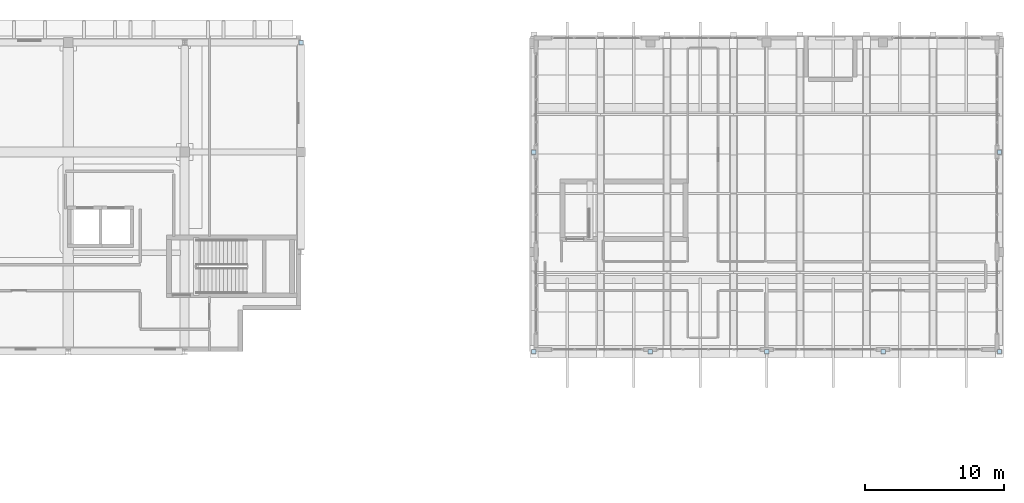
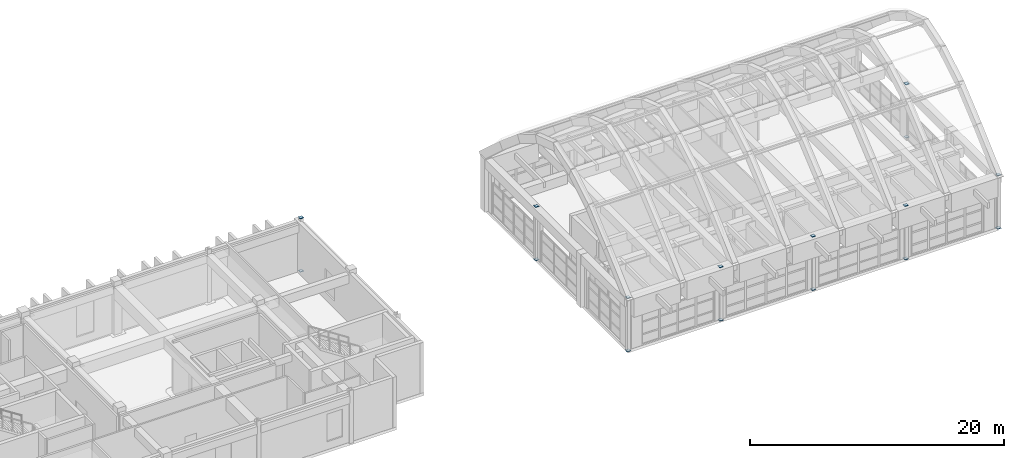
# One storey, part 63 of 78: 16 plates.
"""IFC4 building model written with IfcOpenShell, lengths in metres."""

from ifc_helpers import new_model, si_unit, direction, frame, origin, origin_2d, place, context, subcontext, project, spatial, rectangle, extrude, material, layer, layer_set, type_object, element, save


model = new_model("IFC4")

# Units and contexts
model_context = context("Model", 3, precision=1e-05, world=origin(), true_north=direction((0.0, 1.0)))
body_context = subcontext(model_context, "Body", "Model", "MODEL_VIEW")
ifc_project = project(units=[si_unit("LENGTHUNIT", "METRE"), si_unit("AREAUNIT", "SQUARE_METRE"), si_unit("VOLUMEUNIT", "CUBIC_METRE"), si_unit("PLANEANGLEUNIT", "RADIAN"), si_unit("MASSUNIT", "GRAM", prefix="KILO")], contexts=[model_context])

# Site, building, storey
site_placement = place(None, origin())
site = spatial("IfcSite", under=ifc_project, at=site_placement, CompositionType="ELEMENT")
building_placement = place(site_placement, origin())
building = spatial("IfcBuilding", under=site, at=building_placement, Name="Quendrovan Civic Courthouse", CompositionType="ELEMENT")
storey_placement = place(building_placement, frame((0.0, 0.0, 20.39990234375)))
storey = spatial("IfcBuildingStorey", under=building, at=storey_placement, Name="L05", CompositionType="ELEMENT", Elevation=20.39990234375)

# Plates
ifc_material = material(Name="Steel ASTM A572 Grade 50", Category="steel")
ifc_layer = layer(ifc_material, 0.011962890625, Name="Steel ASTM A572 Grade 50")
ifc_layer_set = layer_set([ifc_layer], Name="Steel ASTM A572 Grade 50")
plate_type = type_object("IfcPlateType", Name="PLT-CAP-12", PredefinedType="SHEET", material=ifc_layer_set)
for number, where, z_axis, x_axis, name in (
    (1, (92.39990234375, 109.89990234375, 5.10009765625), (0.0, 0.0, 1.0), (1.0, 0.0, 0.0), "L05 Hollow Column End Cap Plate COL-L05-12-Q-TOP"),
    (2, (92.39990234375, 109.89990234375, -0.01171875), (0.0, 0.0, 1.0), (1.0, 0.0, 0.0), "L05 Hollow Column End Cap Plate COL-L05-12-Q-BOT"),
    (3, (109.199951171875, 87.60009765625, 5.10009765625), (0.0, 0.0, 1.0), (1.0, 0.0, 0.0), "L05 Hollow Column End Cap Plate COL-L05-14-M-TOP"),
    (4, (109.199951171875, 87.60009765625, -0.01171875), (0.0, 0.0, 1.0), (1.0, 0.0, 0.0), "L05 Hollow Column End Cap Plate COL-L05-14-M-BOT"),
    (5, (109.199951171875, 102.0, 5.10009765625), (0.0, 0.0, 1.0), (1.0, 0.0, 0.0), "L05 Hollow Column End Cap Plate COL-L05-14-P-TOP"),
    (6, (109.199951171875, 102.0, -0.01171875), (0.0, 0.0, 1.0), (1.0, 0.0, 0.0), "L05 Hollow Column End Cap Plate COL-L05-14-P-BOT"),
    (7, (117.60009765625, 87.60009765625, 5.10009765625), (0.0, 0.0, 1.0), (1.0, 0.0, 0.0), "L05 Hollow Column End Cap Plate COL-L05-15-M-TOP"),
    (8, (117.60009765625, 87.60009765625, -0.01171875), (0.0, 0.0, 1.0), (1.0, 0.0, 0.0), "L05 Hollow Column End Cap Plate COL-L05-15-M-BOT"),
    (9, (126.0, 87.60009765625, 5.10009765625), (0.0, 0.0, 1.0), (1.0, 0.0, 0.0), "L05 Hollow Column End Cap Plate COL-L05-16-M-TOP"),
    (10, (126.0, 87.60009765625, -0.01171875), (0.0, 0.0, 1.0), (1.0, 0.0, 0.0), "L05 Hollow Column End Cap Plate COL-L05-16-M-BOT"),
    (11, (134.39990234375, 87.60009765625, 5.10009765625), (0.0, 0.0, 1.0), (1.0, 0.0, 0.0), "L05 Hollow Column End Cap Plate COL-L05-17-M-TOP"),
    (12, (134.39990234375, 87.60009765625, -0.01171875), (0.0, 0.0, 1.0), (1.0, 0.0, 0.0), "L05 Hollow Column End Cap Plate COL-L05-17-M-BOT"),
    (13, (142.800048828125, 87.60009765625, 5.10009765625), (0.0, 0.0, 1.0), (1.0, 0.0, 0.0), "L05 Hollow Column End Cap Plate COL-L05-18-M-TOP"),
    (14, (142.800048828125, 87.60009765625, -0.01171875), (0.0, 0.0, 1.0), (1.0, 0.0, 0.0), "L05 Hollow Column End Cap Plate COL-L05-18-M-BOT"),
    (15, (142.800048828125, 102.0, 5.10009765625), (0.0, 0.0, 1.0), (1.0, 0.0, 0.0), "L05 Hollow Column End Cap Plate COL-L05-18-P-TOP"),
    (16, (142.800048828125, 102.0, -0.01171875), (0.0, 0.0, 1.0), (1.0, 0.0, 0.0), "L05 Hollow Column End Cap Plate COL-L05-18-P-BOT"),
):
    element("IfcPlate", number, at=place(storey_placement, frame(where, z_axis=z_axis, x_axis=x_axis)), inside=storey, type_object=plate_type, Name=name, PredefinedType="SHEET", context=body_context, shape_type="SweptSolid", body=[
        extrude(rectangle(XDim=0.320068359375, YDim=0.320068359375, at=origin_2d()), origin(), (0.0, 0.0, 1.0), 0.011962890625),
    ])

save(model, "model.ifc")
